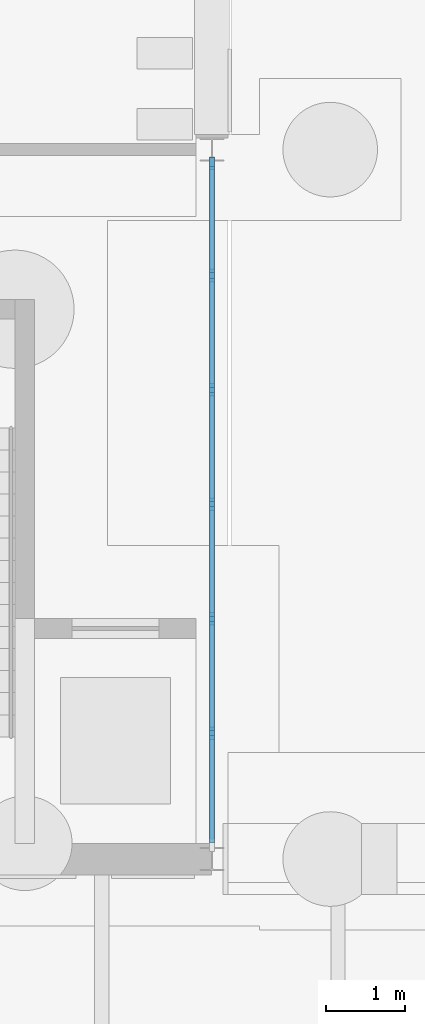
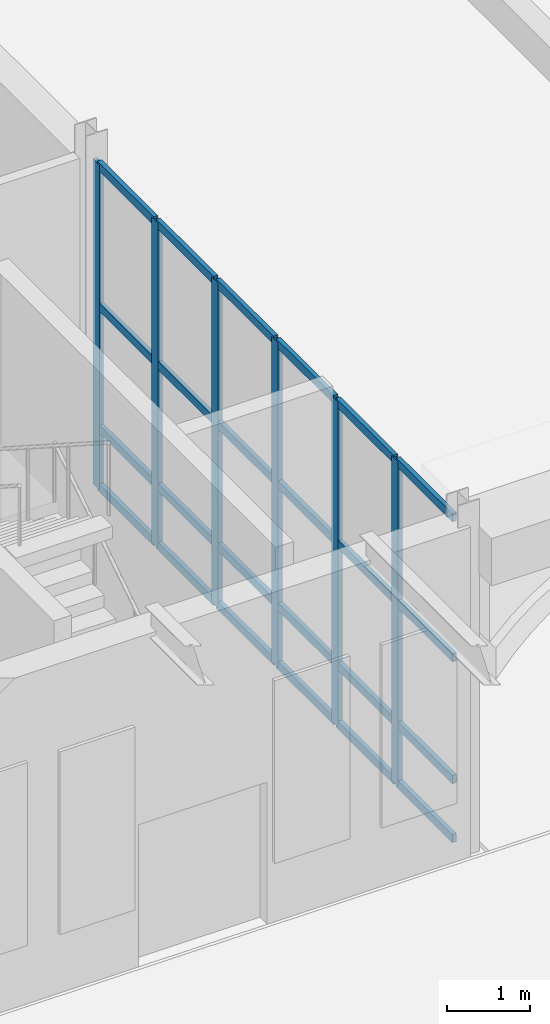
# One storey, part 48 of 168: 30 members, 1 element without a shape of its own.
"""IFC4 building model written with IfcOpenShell, lengths in metres."""

from ifc_helpers import new_model, si_unit, direction, frame, origin, origin_2d, place, context, subcontext, project, spatial, rectangle, extrude, material, layer, layer_set, material_profile, profile_set, type_object, element, aggregate, save


model = new_model("IFC4")

# Units and contexts
model_context = context("Model", 3, precision=1e-05, world=origin(), true_north=direction((0.0, 1.0)))
body_context = subcontext(model_context, "Body", "Model", "MODEL_VIEW")
ifc_project = project(units=[si_unit("LENGTHUNIT", "METRE"), si_unit("AREAUNIT", "SQUARE_METRE"), si_unit("VOLUMEUNIT", "CUBIC_METRE"), si_unit("PLANEANGLEUNIT", "RADIAN"), si_unit("MASSUNIT", "GRAM", prefix="KILO")], contexts=[model_context])

# Site, building, storey
site_placement = place(None, origin())
site = spatial("IfcSite", under=ifc_project, at=site_placement, CompositionType="ELEMENT")
building_placement = place(site_placement, origin())
building = spatial("IfcBuilding", under=site, at=building_placement, Name="Golden Quay Civic Hall", CompositionType="ELEMENT")
storey_placement = place(building_placement, origin())
storey = spatial("IfcBuildingStorey", under=building, at=storey_placement, Name="L00", CompositionType="ELEMENT", Elevation=0.0)

# Curtain wall, members
ifc_material_1 = material(Name="Glass, laminated double glazed", Category="glass")
ifc_layer = layer(ifc_material_1, 0.199951171875)
ifc_layer_set = layer_set([ifc_layer], Name="Glazed core strip curtain wall")
curtain_wall_type = type_object("IfcCurtainWallType", Name="Glazed core strip curtain wall", PredefinedType="NOTDEFINED", material=ifc_layer_set)
curtain_wall_placement = place(storey_placement, origin())
curtain_wall = element("IfcCurtainWall", 1, at=curtain_wall_placement, inside=storey, type_object=curtain_wall_type, Name="Glazed core strip curtain wall L00 8", PredefinedType="NOTDEFINED")
ifc_material_2 = material(Name="Aluminium, anodised", Category="aluminium")
ifc_material_profile_1 = material_profile(ifc_material_2, rectangle(XDim=0.06005859375, YDim=0.159912109375, at=origin_2d()), Name="Aluminium 60 x 160")
ifc_profile_set_1 = profile_set([ifc_material_profile_1], Name="Aluminium, anodised")
member_type_1 = type_object("IfcMemberType", Name="Aluminium mullion 60 x 160", PredefinedType="MULLION", material=ifc_profile_set_1)
member_1_placement = place(storey_placement, frame((117.0, 8.824951171875, 0.0), z_axis=(0.0, 0.0, 1.0), x_axis=(1.0, 0.0, 0.0)))
member_1 = element("IfcMember", 2, at=member_1_placement, type_object=member_type_1, Name="CW2 mullion 1", PredefinedType="MULLION", context=body_context, shape_type="SweptSolid", body=[
    extrude(rectangle(XDim=0.06005859375, YDim=0.159912109375, at=origin_2d()), origin(), (0.0, 0.0, 1.0), 4.800048828125),
])
member_2_placement = place(storey_placement, frame((117.0, 7.4033203125, 0.0), z_axis=(0.0, 0.0, 1.0), x_axis=(1.0, 0.0, 0.0)))
member_2 = element("IfcMember", 3, at=member_2_placement, type_object=member_type_1, Name="CW2 mullion 2", PredefinedType="MULLION", context=body_context, shape_type="SweptSolid", body=[
    extrude(rectangle(XDim=0.06005859375, YDim=0.159912109375, at=origin_2d()), origin(), (0.0, 0.0, 1.0), 4.800048828125),
])
member_3_placement = place(storey_placement, frame((117.0, 5.95166015625, 0.0), z_axis=(0.0, 0.0, 1.0), x_axis=(1.0, 0.0, 0.0)))
member_3 = element("IfcMember", 4, at=member_3_placement, type_object=member_type_1, Name="CW2 mullion 3", PredefinedType="MULLION", context=body_context, shape_type="SweptSolid", body=[
    extrude(rectangle(XDim=0.06005859375, YDim=0.159912109375, at=origin_2d()), origin(), (0.0, 0.0, 1.0), 4.800048828125),
])
member_4_placement = place(storey_placement, frame((117.0, 4.5, 0.0), z_axis=(0.0, 0.0, 1.0), x_axis=(1.0, 0.0, 0.0)))
member_4 = element("IfcMember", 5, at=member_4_placement, type_object=member_type_1, Name="CW2 mullion 4", PredefinedType="MULLION", context=body_context, shape_type="SweptSolid", body=[
    extrude(rectangle(XDim=0.06005859375, YDim=0.159912109375, at=origin_2d()), origin(), (0.0, 0.0, 1.0), 4.800048828125),
])
member_5_placement = place(storey_placement, frame((117.0, 3.04833984375, 0.0), z_axis=(0.0, 0.0, 1.0), x_axis=(1.0, 0.0, 0.0)))
member_5 = element("IfcMember", 6, at=member_5_placement, type_object=member_type_1, Name="CW2 mullion 5", PredefinedType="MULLION", context=body_context, shape_type="SweptSolid", body=[
    extrude(rectangle(XDim=0.06005859375, YDim=0.159912109375, at=origin_2d()), origin(), (0.0, 0.0, 1.0), 4.800048828125),
])
member_6_placement = place(storey_placement, frame((117.0, 1.5966796875, 0.0), z_axis=(0.0, 0.0, 1.0), x_axis=(1.0, 0.0, 0.0)))
member_6 = element("IfcMember", 7, at=member_6_placement, type_object=member_type_1, Name="CW2 mullion 6", PredefinedType="MULLION", context=body_context, shape_type="SweptSolid", body=[
    extrude(rectangle(XDim=0.06005859375, YDim=0.159912109375, at=origin_2d()), origin(), (0.0, 0.0, 1.0), 4.800048828125),
])
ifc_material_3 = material(Name="Aluminium, anodised", Category="aluminium")
ifc_material_profile_2 = material_profile(ifc_material_3, rectangle(XDim=0.06005859375, YDim=0.1201171875, at=origin_2d()), Name="Aluminium 60 x 120")
ifc_profile_set_2 = profile_set([ifc_material_profile_2], Name="Aluminium, anodised")
member_type_2 = type_object("IfcMemberType", Name="Aluminium transom 60 x 120", PredefinedType="USERDEFINED", material=ifc_profile_set_2)
member_7_placement = place(storey_placement, frame((117.0, 8.794921875, 0.030029296875), z_axis=(0.0, -1.0, 0.0), x_axis=(1.0, 0.0, 0.0)))
member_7 = element("IfcMember", 8, at=member_7_placement, type_object=member_type_2, Name="CW2 transom 1.1", ObjectType="TRANSOM", PredefinedType="USERDEFINED", context=body_context, shape_type="SweptSolid", body=[
    extrude(rectangle(XDim=0.06005859375, YDim=0.1201171875, at=origin_2d()), origin(), (0.0, 0.0, 1.0), 1.361572265625),
])
member_8_placement = place(storey_placement, frame((117.0, 8.794921875, 0.89990234375), z_axis=(0.0, -1.0, 0.0), x_axis=(1.0, 0.0, 0.0)))
member_8 = element("IfcMember", 9, at=member_8_placement, type_object=member_type_2, Name="CW2 transom 1.2", ObjectType="TRANSOM", PredefinedType="USERDEFINED", context=body_context, shape_type="SweptSolid", body=[
    extrude(rectangle(XDim=0.06005859375, YDim=0.1201171875, at=origin_2d()), origin(), (0.0, 0.0, 1.0), 1.361572265625),
])
member_9_placement = place(storey_placement, frame((117.0, 8.794921875, 2.699951171875), z_axis=(0.0, -1.0, 0.0), x_axis=(1.0, 0.0, 0.0)))
member_9 = element("IfcMember", 10, at=member_9_placement, type_object=member_type_2, Name="CW2 transom 1.3", ObjectType="TRANSOM", PredefinedType="USERDEFINED", context=body_context, shape_type="SweptSolid", body=[
    extrude(rectangle(XDim=0.06005859375, YDim=0.1201171875, at=origin_2d()), origin(), (0.0, 0.0, 1.0), 1.361572265625),
])
member_10_placement = place(storey_placement, frame((117.0, 8.794921875, 4.77001953125), z_axis=(0.0, -1.0, 0.0), x_axis=(1.0, 0.0, 0.0)))
member_10 = element("IfcMember", 11, at=member_10_placement, type_object=member_type_2, Name="CW2 transom 1.4", ObjectType="TRANSOM", PredefinedType="USERDEFINED", context=body_context, shape_type="SweptSolid", body=[
    extrude(rectangle(XDim=0.06005859375, YDim=0.1201171875, at=origin_2d()), origin(), (0.0, 0.0, 1.0), 1.361572265625),
])
member_11_placement = place(storey_placement, frame((117.0, 7.373291015625, 0.030029296875), z_axis=(0.0, -1.0, 0.0), x_axis=(1.0, 0.0, 0.0)))
member_11 = element("IfcMember", 12, at=member_11_placement, type_object=member_type_2, Name="CW2 transom 2.1", ObjectType="TRANSOM", PredefinedType="USERDEFINED", context=body_context, shape_type="SweptSolid", body=[
    extrude(rectangle(XDim=0.06005859375, YDim=0.1201171875, at=origin_2d()), origin(), (0.0, 0.0, 1.0), 1.3916015625),
])
member_12_placement = place(storey_placement, frame((117.0, 7.373291015625, 0.89990234375), z_axis=(0.0, -1.0, 0.0), x_axis=(1.0, 0.0, 0.0)))
member_12 = element("IfcMember", 13, at=member_12_placement, type_object=member_type_2, Name="CW2 transom 2.2", ObjectType="TRANSOM", PredefinedType="USERDEFINED", context=body_context, shape_type="SweptSolid", body=[
    extrude(rectangle(XDim=0.06005859375, YDim=0.1201171875, at=origin_2d()), origin(), (0.0, 0.0, 1.0), 1.3916015625),
])
member_13_placement = place(storey_placement, frame((117.0, 7.373291015625, 2.699951171875), z_axis=(0.0, -1.0, 0.0), x_axis=(1.0, 0.0, 0.0)))
member_13 = element("IfcMember", 14, at=member_13_placement, type_object=member_type_2, Name="CW2 transom 2.3", ObjectType="TRANSOM", PredefinedType="USERDEFINED", context=body_context, shape_type="SweptSolid", body=[
    extrude(rectangle(XDim=0.06005859375, YDim=0.1201171875, at=origin_2d()), origin(), (0.0, 0.0, 1.0), 1.3916015625),
])
member_14_placement = place(storey_placement, frame((117.0, 7.373291015625, 4.77001953125), z_axis=(0.0, -1.0, 0.0), x_axis=(1.0, 0.0, 0.0)))
member_14 = element("IfcMember", 15, at=member_14_placement, type_object=member_type_2, Name="CW2 transom 2.4", ObjectType="TRANSOM", PredefinedType="USERDEFINED", context=body_context, shape_type="SweptSolid", body=[
    extrude(rectangle(XDim=0.06005859375, YDim=0.1201171875, at=origin_2d()), origin(), (0.0, 0.0, 1.0), 1.3916015625),
])
member_15_placement = place(storey_placement, frame((117.0, 5.921630859375, 0.030029296875), z_axis=(0.0, -1.0, 0.0), x_axis=(1.0, 0.0, 0.0)))
member_15 = element("IfcMember", 16, at=member_15_placement, type_object=member_type_2, Name="CW2 transom 3.1", ObjectType="TRANSOM", PredefinedType="USERDEFINED", context=body_context, shape_type="SweptSolid", body=[
    extrude(rectangle(XDim=0.06005859375, YDim=0.1201171875, at=origin_2d()), origin(), (0.0, 0.0, 1.0), 1.3916015625),
])
member_16_placement = place(storey_placement, frame((117.0, 5.921630859375, 0.89990234375), z_axis=(0.0, -1.0, 0.0), x_axis=(1.0, 0.0, 0.0)))
member_16 = element("IfcMember", 17, at=member_16_placement, type_object=member_type_2, Name="CW2 transom 3.2", ObjectType="TRANSOM", PredefinedType="USERDEFINED", context=body_context, shape_type="SweptSolid", body=[
    extrude(rectangle(XDim=0.06005859375, YDim=0.1201171875, at=origin_2d()), origin(), (0.0, 0.0, 1.0), 1.3916015625),
])
member_17_placement = place(storey_placement, frame((117.0, 5.921630859375, 2.699951171875), z_axis=(0.0, -1.0, 0.0), x_axis=(1.0, 0.0, 0.0)))
member_17 = element("IfcMember", 18, at=member_17_placement, type_object=member_type_2, Name="CW2 transom 3.3", ObjectType="TRANSOM", PredefinedType="USERDEFINED", context=body_context, shape_type="SweptSolid", body=[
    extrude(rectangle(XDim=0.06005859375, YDim=0.1201171875, at=origin_2d()), origin(), (0.0, 0.0, 1.0), 1.3916015625),
])
member_18_placement = place(storey_placement, frame((117.0, 5.921630859375, 4.77001953125), z_axis=(0.0, -1.0, 0.0), x_axis=(1.0, 0.0, 0.0)))
member_18 = element("IfcMember", 19, at=member_18_placement, type_object=member_type_2, Name="CW2 transom 3.4", ObjectType="TRANSOM", PredefinedType="USERDEFINED", context=body_context, shape_type="SweptSolid", body=[
    extrude(rectangle(XDim=0.06005859375, YDim=0.1201171875, at=origin_2d()), origin(), (0.0, 0.0, 1.0), 1.3916015625),
])
member_19_placement = place(storey_placement, frame((117.0, 4.469970703125, 0.030029296875), z_axis=(0.0, -1.0, 0.0), x_axis=(1.0, 0.0, 0.0)))
member_19 = element("IfcMember", 20, at=member_19_placement, type_object=member_type_2, Name="CW2 transom 4.1", ObjectType="TRANSOM", PredefinedType="USERDEFINED", context=body_context, shape_type="SweptSolid", body=[
    extrude(rectangle(XDim=0.06005859375, YDim=0.1201171875, at=origin_2d()), origin(), (0.0, 0.0, 1.0), 1.3916015625),
])
member_20_placement = place(storey_placement, frame((117.0, 4.469970703125, 0.89990234375), z_axis=(0.0, -1.0, 0.0), x_axis=(1.0, 0.0, 0.0)))
member_20 = element("IfcMember", 21, at=member_20_placement, type_object=member_type_2, Name="CW2 transom 4.2", ObjectType="TRANSOM", PredefinedType="USERDEFINED", context=body_context, shape_type="SweptSolid", body=[
    extrude(rectangle(XDim=0.06005859375, YDim=0.1201171875, at=origin_2d()), origin(), (0.0, 0.0, 1.0), 1.3916015625),
])
member_21_placement = place(storey_placement, frame((117.0, 4.469970703125, 2.699951171875), z_axis=(0.0, -1.0, 0.0), x_axis=(1.0, 0.0, 0.0)))
member_21 = element("IfcMember", 22, at=member_21_placement, type_object=member_type_2, Name="CW2 transom 4.3", ObjectType="TRANSOM", PredefinedType="USERDEFINED", context=body_context, shape_type="SweptSolid", body=[
    extrude(rectangle(XDim=0.06005859375, YDim=0.1201171875, at=origin_2d()), origin(), (0.0, 0.0, 1.0), 1.3916015625),
])
member_22_placement = place(storey_placement, frame((117.0, 4.469970703125, 4.77001953125), z_axis=(0.0, -1.0, 0.0), x_axis=(1.0, 0.0, 0.0)))
member_22 = element("IfcMember", 23, at=member_22_placement, type_object=member_type_2, Name="CW2 transom 4.4", ObjectType="TRANSOM", PredefinedType="USERDEFINED", context=body_context, shape_type="SweptSolid", body=[
    extrude(rectangle(XDim=0.06005859375, YDim=0.1201171875, at=origin_2d()), origin(), (0.0, 0.0, 1.0), 1.3916015625),
])
member_23_placement = place(storey_placement, frame((117.0, 3.018310546875, 0.030029296875), z_axis=(0.0, -1.0, 0.0), x_axis=(1.0, 0.0, 0.0)))
member_23 = element("IfcMember", 24, at=member_23_placement, type_object=member_type_2, Name="CW2 transom 5.1", ObjectType="TRANSOM", PredefinedType="USERDEFINED", context=body_context, shape_type="SweptSolid", body=[
    extrude(rectangle(XDim=0.06005859375, YDim=0.1201171875, at=origin_2d()), origin(), (0.0, 0.0, 1.0), 1.3916015625),
])
member_24_placement = place(storey_placement, frame((117.0, 3.018310546875, 0.89990234375), z_axis=(0.0, -1.0, 0.0), x_axis=(1.0, 0.0, 0.0)))
member_24 = element("IfcMember", 25, at=member_24_placement, type_object=member_type_2, Name="CW2 transom 5.2", ObjectType="TRANSOM", PredefinedType="USERDEFINED", context=body_context, shape_type="SweptSolid", body=[
    extrude(rectangle(XDim=0.06005859375, YDim=0.1201171875, at=origin_2d()), origin(), (0.0, 0.0, 1.0), 1.3916015625),
])
member_25_placement = place(storey_placement, frame((117.0, 3.018310546875, 2.699951171875), z_axis=(0.0, -1.0, 0.0), x_axis=(1.0, 0.0, 0.0)))
member_25 = element("IfcMember", 26, at=member_25_placement, type_object=member_type_2, Name="CW2 transom 5.3", ObjectType="TRANSOM", PredefinedType="USERDEFINED", context=body_context, shape_type="SweptSolid", body=[
    extrude(rectangle(XDim=0.06005859375, YDim=0.1201171875, at=origin_2d()), origin(), (0.0, 0.0, 1.0), 1.3916015625),
])
member_26_placement = place(storey_placement, frame((117.0, 3.018310546875, 4.77001953125), z_axis=(0.0, -1.0, 0.0), x_axis=(1.0, 0.0, 0.0)))
member_26 = element("IfcMember", 27, at=member_26_placement, type_object=member_type_2, Name="CW2 transom 5.4", ObjectType="TRANSOM", PredefinedType="USERDEFINED", context=body_context, shape_type="SweptSolid", body=[
    extrude(rectangle(XDim=0.06005859375, YDim=0.1201171875, at=origin_2d()), origin(), (0.0, 0.0, 1.0), 1.3916015625),
])
member_27_placement = place(storey_placement, frame((117.0, 1.566650390625, 0.030029296875), z_axis=(0.0, -1.0, 0.0), x_axis=(1.0, 0.0, 0.0)))
member_27 = element("IfcMember", 28, at=member_27_placement, type_object=member_type_2, Name="CW2 transom 6.1", ObjectType="TRANSOM", PredefinedType="USERDEFINED", context=body_context, shape_type="SweptSolid", body=[
    extrude(rectangle(XDim=0.06005859375, YDim=0.1201171875, at=origin_2d()), origin(), (0.0, 0.0, 1.0), 1.361572265625),
])
member_28_placement = place(storey_placement, frame((117.0, 1.566650390625, 0.89990234375), z_axis=(0.0, -1.0, 0.0), x_axis=(1.0, 0.0, 0.0)))
member_28 = element("IfcMember", 29, at=member_28_placement, type_object=member_type_2, Name="CW2 transom 6.2", ObjectType="TRANSOM", PredefinedType="USERDEFINED", context=body_context, shape_type="SweptSolid", body=[
    extrude(rectangle(XDim=0.06005859375, YDim=0.1201171875, at=origin_2d()), origin(), (0.0, 0.0, 1.0), 1.361572265625),
])
member_29_placement = place(storey_placement, frame((117.0, 1.566650390625, 2.699951171875), z_axis=(0.0, -1.0, 0.0), x_axis=(1.0, 0.0, 0.0)))
member_29 = element("IfcMember", 30, at=member_29_placement, type_object=member_type_2, Name="CW2 transom 6.3", ObjectType="TRANSOM", PredefinedType="USERDEFINED", context=body_context, shape_type="SweptSolid", body=[
    extrude(rectangle(XDim=0.06005859375, YDim=0.1201171875, at=origin_2d()), origin(), (0.0, 0.0, 1.0), 1.361572265625),
])
member_30_placement = place(storey_placement, frame((117.0, 1.566650390625, 4.77001953125), z_axis=(0.0, -1.0, 0.0), x_axis=(1.0, 0.0, 0.0)))
member_30 = element("IfcMember", 31, at=member_30_placement, type_object=member_type_2, Name="CW2 transom 6.4", ObjectType="TRANSOM", PredefinedType="USERDEFINED", context=body_context, shape_type="SweptSolid", body=[
    extrude(rectangle(XDim=0.06005859375, YDim=0.1201171875, at=origin_2d()), origin(), (0.0, 0.0, 1.0), 1.361572265625),
])
aggregate(curtain_wall, [member_1, member_2, member_3, member_4, member_5, member_6, member_7, member_8, member_9, member_10, member_11, member_12, member_13, member_14, member_15, member_16, member_17, member_18, member_19, member_20, member_21, member_22, member_23, member_24, member_25, member_26, member_27, member_28, member_29, member_30])

save(model, "model.ifc")
